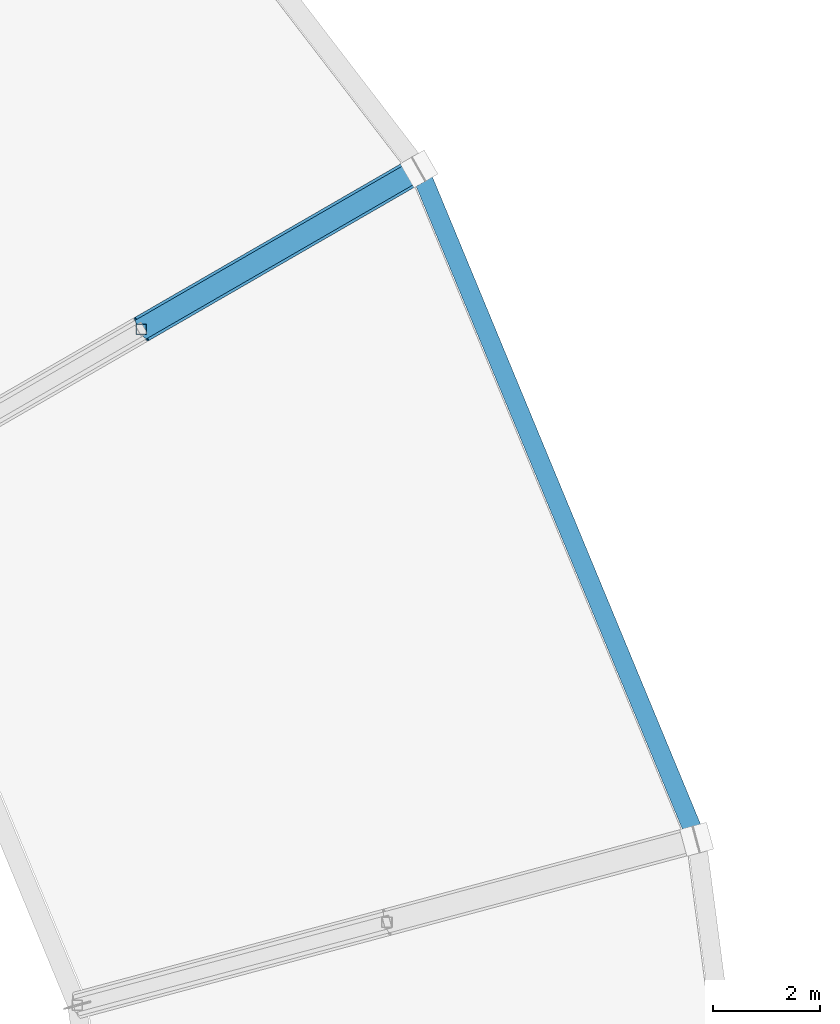
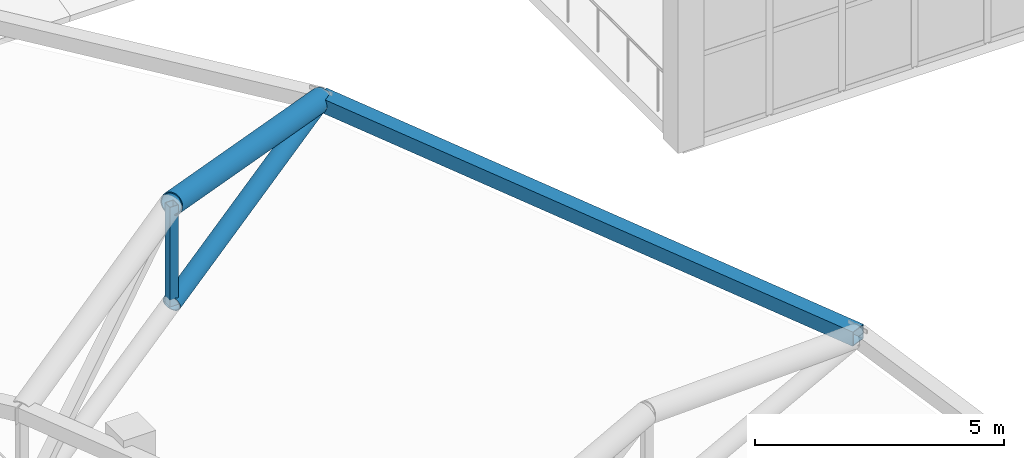
# One storey, part 95 of 167: 4 members.
"""IFC4 building model written with IfcOpenShell, lengths in metres."""

from ifc_helpers import new_model, si_unit, direction, frame, origin, origin_2d, place, context, subcontext, project, spatial, hollow_rectangle, hollow_circle, extrude, material, material_profile, profile_set, type_object, element, save


model = new_model("IFC4")

# Units and contexts
model_context = context("Model", 3, precision=1e-05, world=origin(), true_north=direction((0.0, 1.0)))
body_context = subcontext(model_context, "Body", "Model", "MODEL_VIEW")
ifc_project = project(units=[si_unit("LENGTHUNIT", "METRE"), si_unit("AREAUNIT", "SQUARE_METRE"), si_unit("VOLUMEUNIT", "CUBIC_METRE"), si_unit("PLANEANGLEUNIT", "RADIAN"), si_unit("MASSUNIT", "GRAM", prefix="KILO")], contexts=[model_context])

# Site, building, storey
site_placement = place(None, origin())
site = spatial("IfcSite", under=ifc_project, at=site_placement, CompositionType="ELEMENT")
building_placement = place(site_placement, origin())
building = spatial("IfcBuilding", under=site, at=building_placement, Name="Dornveld Trade and Exhibition Forum", CompositionType="ELEMENT")
storey_placement = place(building_placement, frame((0.0, 0.0, 16.800048828125)))
storey = spatial("IfcBuildingStorey", under=building, at=storey_placement, Name="L03", CompositionType="ELEMENT", Elevation=16.800048828125)

# Members
ifc_material_1 = material(Name="Steel S355J2", Category="steel")
ifc_material_profile_1 = material_profile(ifc_material_1, hollow_circle(Radius=0.203125, WallThickness=0.02001953125, at=origin_2d()), Name="CHS 406.4x20")
ifc_profile_set_1 = profile_set([ifc_material_profile_1], Name="Steel S355J2")
member_type_1 = type_object("IfcMemberType", Name="MEM-DISC-BC", PredefinedType="CHORD", material=ifc_profile_set_1)
member_1_placement = place(storey_placement, frame((156.837158203125, 104.0, 3.437744140625), z_axis=(0.844525303504, 0.487596998988, 0.221418559111), x_axis=(-0.500007758305, 0.866020924479, 0.0)))
element("IfcMember", 1, at=member_1_placement, inside=storey, type_object=member_type_1, Name="Roof disc radial R03 conical bottom chord 4", PredefinedType="CHORD", context=body_context, shape_type="SweptSolid", body=[
    extrude(hollow_circle(Radius=0.203125, WallThickness=0.02001953125, at=origin_2d()), origin(), (0.0, 0.0, 1.0), 6.152587890625),
])
ifc_material_2 = material(Name="Steel S355J2", Category="steel")
ifc_material_profile_2 = material_profile(ifc_material_2, hollow_rectangle(XDim=0.35009765625, YDim=0.35009765625, WallThickness=0.01611328125, at=origin_2d()), Name="SHS 350x350x16")
ifc_profile_set_2 = profile_set([ifc_material_profile_2], Name="Steel S355J2")
member_type_2 = type_object("IfcMemberType", Name="MEM-DISC-RING", PredefinedType="CHORD", material=ifc_profile_set_2)
member_2_placement = place(storey_placement, frame((167.22802734375, 94.45849609375, 4.800048828125), z_axis=(-0.382681118981, 0.923880490743, 0.0), x_axis=(-0.923880490743, -0.382681118981, 0.0)))
element("IfcMember", 2, at=member_2_placement, inside=storey, type_object=member_type_2, Name="Roof disc ring 4 chord 2", PredefinedType="CHORD", context=body_context, shape_type="SweptSolid", body=[
    extrude(hollow_rectangle(XDim=0.35009765625, YDim=0.35009765625, WallThickness=0.01611328125, at=origin_2d()), origin(), (0.0, 0.0, 1.0), 13.57470703125),
])
ifc_material_3 = material(Name="Steel S355J2", Category="steel")
ifc_material_profile_3 = material_profile(ifc_material_3, hollow_rectangle(XDim=0.199951171875, YDim=0.199951171875, WallThickness=0.010009765625, at=origin_2d()), Name="SHS 200x200x10")
ifc_profile_set_3 = profile_set([ifc_material_profile_3], Name="Steel S355J2")
member_type_3 = type_object("IfcMemberType", Name="MEM-DISC-STR", PredefinedType="STRUT", material=ifc_profile_set_3)
member_3_placement = place(storey_placement, frame((156.837158203125, 104.0, 3.437744140625), z_axis=(0.0, 0.0, 1.0), x_axis=(1.0, 0.0, 0.0)))
element("IfcMember", 3, at=member_3_placement, inside=storey, type_object=member_type_3, Name="Roof disc radial R03 strut 4", PredefinedType="STRUT", context=body_context, shape_type="SweptSolid", body=[
    extrude(hollow_rectangle(XDim=0.199951171875, YDim=0.199951171875, WallThickness=0.010009765625, at=origin_2d()), origin(), (0.0, 0.0, 1.0), 2.437255859375),
])
ifc_material_4 = material(Name="Steel S355J2", Category="steel")
ifc_material_profile_4 = material_profile(ifc_material_4, hollow_circle(Radius=0.25390625, WallThickness=0.02490234375, at=origin_2d()), Name="CHS 508x25")
ifc_profile_set_4 = profile_set([ifc_material_profile_4], Name="Steel S355J2")
member_type_4 = type_object("IfcMemberType", Name="MEM-DISC-TC", PredefinedType="CHORD", material=ifc_profile_set_4)
member_4_placement = place(storey_placement, frame((156.837158203125, 104.0, 5.875), z_axis=(0.852447721385, 0.492171103715, -0.176353301567), x_axis=(-0.500007758305, 0.866020924479, 0.0)))
element("IfcMember", 4, at=member_4_placement, inside=storey, type_object=member_type_4, Name="Roof disc radial R03 top chord 4", PredefinedType="CHORD", context=body_context, shape_type="SweptSolid", body=[
    extrude(hollow_circle(Radius=0.25390625, WallThickness=0.02490234375, at=origin_2d()), origin(), (0.0, 0.0, 1.0), 6.095458984375),
])

save(model, "model.ifc")
